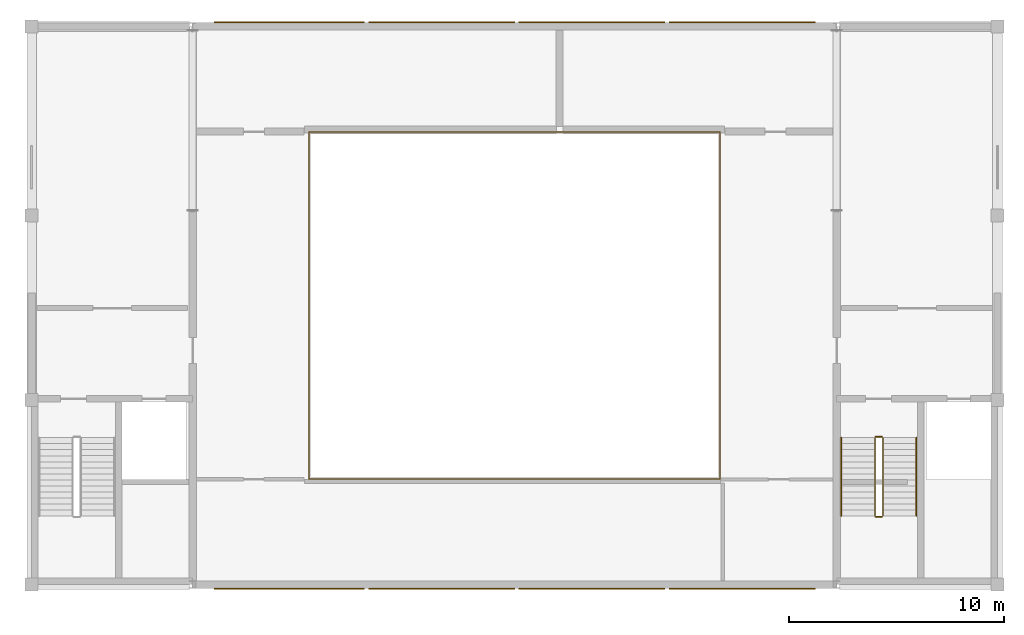
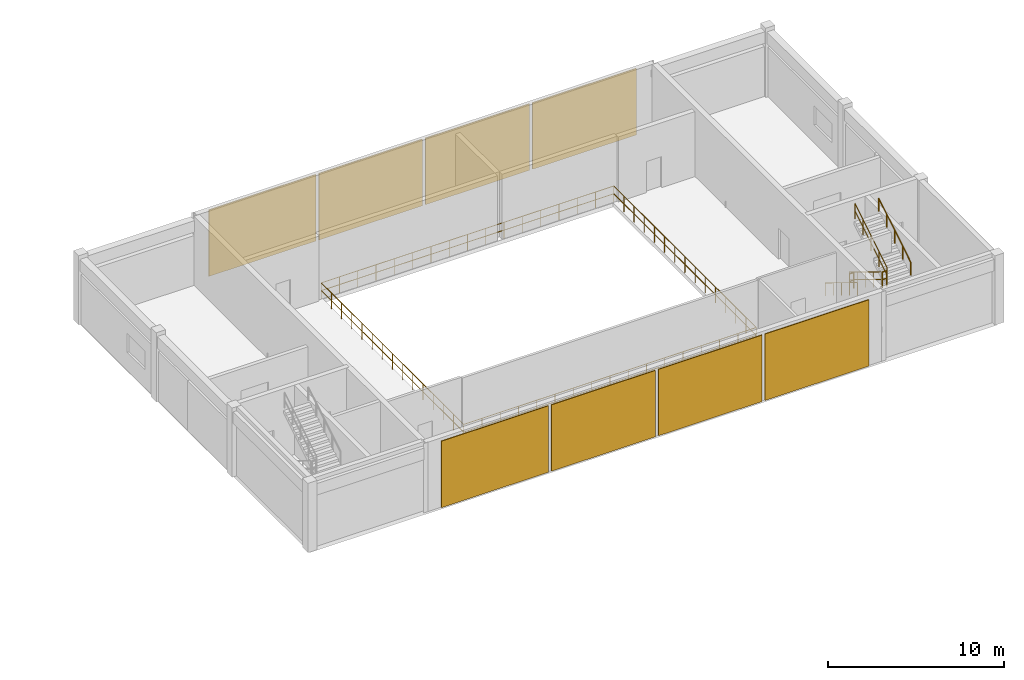
# One storey, part 9 of 9: 10 railings, 8 coverings.
"""IFC4 building model written with IfcOpenShell, lengths in metres."""

from ifc_helpers import new_model, si_unit, direction, frame, origin, origin_2d, place, context, subcontext, project, spatial, rectangle, circle, extrude, material, layer, layer_set, type_object, element, save


model = new_model("IFC4")

# Units and contexts
model_context = context("Model", 3, precision=1e-05, world=origin(), true_north=direction((0.0, 1.0)))
body_context = subcontext(model_context, "Body", "Model", "MODEL_VIEW")
ifc_project = project(units=[si_unit("LENGTHUNIT", "METRE"), si_unit("AREAUNIT", "SQUARE_METRE"), si_unit("VOLUMEUNIT", "CUBIC_METRE"), si_unit("PLANEANGLEUNIT", "RADIAN"), si_unit("MASSUNIT", "GRAM", prefix="KILO")], contexts=[model_context])

# Site, building, storey
site_placement = place(None, origin())
site = spatial("IfcSite", under=ifc_project, at=site_placement, CompositionType="ELEMENT")
building_placement = place(site_placement, origin())
building = spatial("IfcBuilding", under=site, at=building_placement, Name="Muzn Square Opera House", CompositionType="ELEMENT")
storey_placement = place(building_placement, frame((0.0, 0.0, 23.39990234375)))
storey = spatial("IfcBuildingStorey", under=building, at=storey_placement, Name="L05", CompositionType="ELEMENT", Elevation=23.39990234375)

# Railings
ifc_material_1 = material(Name="Architectural bronze mashrabiya", Category="metal")
railing_type_1 = type_object("IfcRailingType", Name="Bronze Protective Balustrade 1120mm", PredefinedType="BALUSTRADE", material=ifc_material_1)
railing_1_placement = place(storey_placement, frame((78.419921875, 77.52001953125, 0.0)))
element("IfcRailing", 1, at=railing_1_placement, inside=storey, type_object=railing_type_1, Name="Void Edge Balustrade L05-0067", PredefinedType="BALUSTRADE", context=body_context, shape_type="SweptSolid", body=[
    extrude(circle(Radius=0.02392578125, at=origin_2d()), frame((0.0, 0.0, 1.09619140625), z_axis=(1.0, 0.0, 0.0), x_axis=(0.0, 1.0, 0.0)), (0.0, 0.0, 1.0), 19.16015625),
    extrude(circle(Radius=0.02392578125, at=origin_2d()), frame((0.0, 0.0, 0.56005859375), z_axis=(1.0, 0.0, 0.0), x_axis=(0.0, 1.0, 0.0)), (0.0, 0.0, 1.0), 19.16015625),
    extrude(circle(Radius=0.02099609375, at=origin_2d()), origin(), (0.0, 0.0, 1.0), 1.072021484375),
    extrude(circle(Radius=0.02099609375, at=origin_2d()), frame((1.197509765625, 0.0, 0.0)), (0.0, 0.0, 1.0), 1.072021484375),
    extrude(circle(Radius=0.02099609375, at=origin_2d()), frame((2.39501953125, 0.0, 0.0)), (0.0, 0.0, 1.0), 1.072021484375),
    extrude(circle(Radius=0.02099609375, at=origin_2d()), frame((3.592529296875, 0.0, 0.0)), (0.0, 0.0, 1.0), 1.072021484375),
    extrude(circle(Radius=0.02099609375, at=origin_2d()), frame((4.7900390625, 0.0, 0.0)), (0.0, 0.0, 1.0), 1.072021484375),
    extrude(circle(Radius=0.02099609375, at=origin_2d()), frame((5.987548828125, 0.0, 0.0)), (0.0, 0.0, 1.0), 1.072021484375),
    extrude(circle(Radius=0.02099609375, at=origin_2d()), frame((7.18505859375, 0.0, 0.0)), (0.0, 0.0, 1.0), 1.072021484375),
    extrude(circle(Radius=0.02099609375, at=origin_2d()), frame((8.382568359375, 0.0, 0.0)), (0.0, 0.0, 1.0), 1.072021484375),
    extrude(circle(Radius=0.02099609375, at=origin_2d()), frame((9.580078125, 0.0, 0.0)), (0.0, 0.0, 1.0), 1.072021484375),
    extrude(circle(Radius=0.02099609375, at=origin_2d()), frame((10.777587890625, 0.0, 0.0)), (0.0, 0.0, 1.0), 1.072021484375),
    extrude(circle(Radius=0.02099609375, at=origin_2d()), frame((11.97509765625, 0.0, 0.0)), (0.0, 0.0, 1.0), 1.072021484375),
    extrude(circle(Radius=0.02099609375, at=origin_2d()), frame((13.172607421875, 0.0, 0.0)), (0.0, 0.0, 1.0), 1.072021484375),
    extrude(circle(Radius=0.02099609375, at=origin_2d()), frame((14.3701171875, 0.0, 0.0)), (0.0, 0.0, 1.0), 1.072021484375),
    extrude(circle(Radius=0.02099609375, at=origin_2d()), frame((15.567626953125, 0.0, 0.0)), (0.0, 0.0, 1.0), 1.072021484375),
    extrude(circle(Radius=0.02099609375, at=origin_2d()), frame((16.76513671875, 0.0, 0.0)), (0.0, 0.0, 1.0), 1.072021484375),
    extrude(circle(Radius=0.02099609375, at=origin_2d()), frame((17.962646484375, 0.0, 0.0)), (0.0, 0.0, 1.0), 1.072021484375),
    extrude(circle(Radius=0.02099609375, at=origin_2d()), frame((19.16015625, 0.0, 0.0)), (0.0, 0.0, 1.0), 1.072021484375),
])
railing_2_placement = place(storey_placement, frame((97.580078125, 77.52001953125, 0.0)))
element("IfcRailing", 2, at=railing_2_placement, inside=storey, type_object=railing_type_1, Name="Void Edge Balustrade L05-0068", PredefinedType="BALUSTRADE", context=body_context, shape_type="SweptSolid", body=[
    extrude(circle(Radius=0.02392578125, at=origin_2d()), frame((0.0, 0.0, 1.09619140625), z_axis=(0.0, 1.0, 0.0), x_axis=(-1.0, 0.0, 0.0)), (0.0, 0.0, 1.0), 16.159912109375),
    extrude(circle(Radius=0.02392578125, at=origin_2d()), frame((0.0, 0.0, 0.56005859375), z_axis=(0.0, 1.0, 0.0), x_axis=(-1.0, 0.0, 0.0)), (0.0, 0.0, 1.0), 16.159912109375),
    extrude(circle(Radius=0.02099609375, at=origin_2d()), origin(), (0.0, 0.0, 1.0), 1.072021484375),
    extrude(circle(Radius=0.02099609375, at=origin_2d()), frame((0.0, 1.154296875, 0.0)), (0.0, 0.0, 1.0), 1.072021484375),
    extrude(circle(Radius=0.02099609375, at=origin_2d()), frame((0.0, 2.30859375, 0.0)), (0.0, 0.0, 1.0), 1.072021484375),
    extrude(circle(Radius=0.02099609375, at=origin_2d()), frame((0.0, 3.462890625, 0.0)), (0.0, 0.0, 1.0), 1.072021484375),
    extrude(circle(Radius=0.02099609375, at=origin_2d()), frame((0.0, 4.6171875, 0.0)), (0.0, 0.0, 1.0), 1.072021484375),
    extrude(circle(Radius=0.02099609375, at=origin_2d()), frame((0.0, 5.771484375, 0.0)), (0.0, 0.0, 1.0), 1.072021484375),
    extrude(circle(Radius=0.02099609375, at=origin_2d()), frame((0.0, 6.92578125, 0.0)), (0.0, 0.0, 1.0), 1.072021484375),
    extrude(circle(Radius=0.02099609375, at=origin_2d()), frame((0.0, 8.080078125, 0.0)), (0.0, 0.0, 1.0), 1.072021484375),
    extrude(circle(Radius=0.02099609375, at=origin_2d()), frame((0.0, 9.234130859375, 0.0)), (0.0, 0.0, 1.0), 1.072021484375),
    extrude(circle(Radius=0.02099609375, at=origin_2d()), frame((0.0, 10.388427734375, 0.0)), (0.0, 0.0, 1.0), 1.072021484375),
    extrude(circle(Radius=0.02099609375, at=origin_2d()), frame((0.0, 11.542724609375, 0.0)), (0.0, 0.0, 1.0), 1.072021484375),
    extrude(circle(Radius=0.02099609375, at=origin_2d()), frame((0.0, 12.697021484375, 0.0)), (0.0, 0.0, 1.0), 1.072021484375),
    extrude(circle(Radius=0.02099609375, at=origin_2d()), frame((0.0, 13.851318359375, 0.0)), (0.0, 0.0, 1.0), 1.072021484375),
    extrude(circle(Radius=0.02099609375, at=origin_2d()), frame((0.0, 15.005615234375, 0.0)), (0.0, 0.0, 1.0), 1.072021484375),
    extrude(circle(Radius=0.02099609375, at=origin_2d()), frame((0.0, 16.159912109375, 0.0)), (0.0, 0.0, 1.0), 1.072021484375),
])
railing_3_placement = place(storey_placement, frame((97.580078125, 93.679931640625, 0.0)))
element("IfcRailing", 3, at=railing_3_placement, inside=storey, type_object=railing_type_1, Name="Void Edge Balustrade L05-0069", PredefinedType="BALUSTRADE", context=body_context, shape_type="SweptSolid", body=[
    extrude(circle(Radius=0.02392578125, at=origin_2d()), frame((0.0, 0.0, 1.09619140625), z_axis=(-1.0, 0.0, 0.0), x_axis=(0.0, -1.0, 0.0)), (0.0, 0.0, 1.0), 19.16015625),
    extrude(circle(Radius=0.02392578125, at=origin_2d()), frame((0.0, 0.0, 0.56005859375), z_axis=(-1.0, 0.0, 0.0), x_axis=(0.0, -1.0, 0.0)), (0.0, 0.0, 1.0), 19.16015625),
    extrude(circle(Radius=0.02099609375, at=origin_2d()), origin(), (0.0, 0.0, 1.0), 1.072021484375),
    extrude(circle(Radius=0.02099609375, at=origin_2d()), frame((-1.197509765625, 0.0, 0.0)), (0.0, 0.0, 1.0), 1.072021484375),
    extrude(circle(Radius=0.02099609375, at=origin_2d()), frame((-2.39501953125, 0.0, 0.0)), (0.0, 0.0, 1.0), 1.072021484375),
    extrude(circle(Radius=0.02099609375, at=origin_2d()), frame((-3.592529296875, 0.0, 0.0)), (0.0, 0.0, 1.0), 1.072021484375),
    extrude(circle(Radius=0.02099609375, at=origin_2d()), frame((-4.7900390625, 0.0, 0.0)), (0.0, 0.0, 1.0), 1.072021484375),
    extrude(circle(Radius=0.02099609375, at=origin_2d()), frame((-5.987548828125, 0.0, 0.0)), (0.0, 0.0, 1.0), 1.072021484375),
    extrude(circle(Radius=0.02099609375, at=origin_2d()), frame((-7.18505859375, 0.0, 0.0)), (0.0, 0.0, 1.0), 1.072021484375),
    extrude(circle(Radius=0.02099609375, at=origin_2d()), frame((-8.382568359375, 0.0, 0.0)), (0.0, 0.0, 1.0), 1.072021484375),
    extrude(circle(Radius=0.02099609375, at=origin_2d()), frame((-9.580078125, 0.0, 0.0)), (0.0, 0.0, 1.0), 1.072021484375),
    extrude(circle(Radius=0.02099609375, at=origin_2d()), frame((-10.777587890625, 0.0, 0.0)), (0.0, 0.0, 1.0), 1.072021484375),
    extrude(circle(Radius=0.02099609375, at=origin_2d()), frame((-11.97509765625, 0.0, 0.0)), (0.0, 0.0, 1.0), 1.072021484375),
    extrude(circle(Radius=0.02099609375, at=origin_2d()), frame((-13.172607421875, 0.0, 0.0)), (0.0, 0.0, 1.0), 1.072021484375),
    extrude(circle(Radius=0.02099609375, at=origin_2d()), frame((-14.3701171875, 0.0, 0.0)), (0.0, 0.0, 1.0), 1.072021484375),
    extrude(circle(Radius=0.02099609375, at=origin_2d()), frame((-15.567626953125, 0.0, 0.0)), (0.0, 0.0, 1.0), 1.072021484375),
    extrude(circle(Radius=0.02099609375, at=origin_2d()), frame((-16.76513671875, 0.0, 0.0)), (0.0, 0.0, 1.0), 1.072021484375),
    extrude(circle(Radius=0.02099609375, at=origin_2d()), frame((-17.962646484375, 0.0, 0.0)), (0.0, 0.0, 1.0), 1.072021484375),
    extrude(circle(Radius=0.02099609375, at=origin_2d()), frame((-19.16015625, 0.0, 0.0)), (0.0, 0.0, 1.0), 1.072021484375),
])
railing_4_placement = place(storey_placement, frame((78.419921875, 93.679931640625, 0.0)))
element("IfcRailing", 4, at=railing_4_placement, inside=storey, type_object=railing_type_1, Name="Void Edge Balustrade L05-0070", PredefinedType="BALUSTRADE", context=body_context, shape_type="SweptSolid", body=[
    extrude(circle(Radius=0.02392578125, at=origin_2d()), frame((0.0, 0.0, 1.09619140625), z_axis=(0.0, -1.0, 0.0), x_axis=(1.0, 0.0, 0.0)), (0.0, 0.0, 1.0), 16.159912109375),
    extrude(circle(Radius=0.02392578125, at=origin_2d()), frame((0.0, 0.0, 0.56005859375), z_axis=(0.0, -1.0, 0.0), x_axis=(1.0, 0.0, 0.0)), (0.0, 0.0, 1.0), 16.159912109375),
    extrude(circle(Radius=0.02099609375, at=origin_2d()), origin(), (0.0, 0.0, 1.0), 1.072021484375),
    extrude(circle(Radius=0.02099609375, at=origin_2d()), frame((0.0, -1.154296875, 0.0)), (0.0, 0.0, 1.0), 1.072021484375),
    extrude(circle(Radius=0.02099609375, at=origin_2d()), frame((0.0, -2.30859375, 0.0)), (0.0, 0.0, 1.0), 1.072021484375),
    extrude(circle(Radius=0.02099609375, at=origin_2d()), frame((0.0, -3.462890625, 0.0)), (0.0, 0.0, 1.0), 1.072021484375),
    extrude(circle(Radius=0.02099609375, at=origin_2d()), frame((0.0, -4.6171875, 0.0)), (0.0, 0.0, 1.0), 1.072021484375),
    extrude(circle(Radius=0.02099609375, at=origin_2d()), frame((0.0, -5.771484375, 0.0)), (0.0, 0.0, 1.0), 1.072021484375),
    extrude(circle(Radius=0.02099609375, at=origin_2d()), frame((0.0, -6.92578125, 0.0)), (0.0, 0.0, 1.0), 1.072021484375),
    extrude(circle(Radius=0.02099609375, at=origin_2d()), frame((0.0, -8.080078125, 0.0)), (0.0, 0.0, 1.0), 1.072021484375),
    extrude(circle(Radius=0.02099609375, at=origin_2d()), frame((0.0, -9.234130859375, 0.0)), (0.0, 0.0, 1.0), 1.072021484375),
    extrude(circle(Radius=0.02099609375, at=origin_2d()), frame((0.0, -10.388427734375, 0.0)), (0.0, 0.0, 1.0), 1.072021484375),
    extrude(circle(Radius=0.02099609375, at=origin_2d()), frame((0.0, -11.542724609375, 0.0)), (0.0, 0.0, 1.0), 1.072021484375),
    extrude(circle(Radius=0.02099609375, at=origin_2d()), frame((0.0, -12.697021484375, 0.0)), (0.0, 0.0, 1.0), 1.072021484375),
    extrude(circle(Radius=0.02099609375, at=origin_2d()), frame((0.0, -13.851318359375, 0.0)), (0.0, 0.0, 1.0), 1.072021484375),
    extrude(circle(Radius=0.02099609375, at=origin_2d()), frame((0.0, -15.005615234375, 0.0)), (0.0, 0.0, 1.0), 1.072021484375),
    extrude(circle(Radius=0.02099609375, at=origin_2d()), frame((0.0, -16.159912109375, 0.0)), (0.0, 0.0, 1.0), 1.072021484375),
])

# Coverings
ifc_material_2 = material(Name="Honed Riyadh limestone", Category="stone")
ifc_layer = layer(ifc_material_2, 0.06005859375, Name="Honed Riyadh limestone", Category="stone")
ifc_layer_set = layer_set([ifc_layer], Name="Honed Riyadh limestone")
covering_type = type_object("IfcCoveringType", Name="Honed Riyadh Limestone Facade Cladding", PredefinedType="CLADDING", material=ifc_layer_set)
covering_1_placement = place(storey_placement, frame((77.5, 72.39990234375, 0.0), z_axis=(0.0, 0.0, 1.0), x_axis=(1.0, 0.0, 0.0)))
element("IfcCovering", 5, at=covering_1_placement, inside=storey, type_object=covering_type, Name="Honed Riyadh Limestone Cladding Panel CLD-FT-L05-09", PredefinedType="CLADDING", context=body_context, shape_type="SweptSolid", body=[
    extrude(rectangle(XDim=7.0, YDim=0.06005859375, at=origin_2d()), origin(), (0.0, 0.0, 1.0), 4.60009765625),
])
for number, where, z_axis, x_axis, name in (
    (6, (84.60009765625, 72.39990234375, 0.0), (0.0, 0.0, 1.0), (1.0, 0.0, 0.0), "Honed Riyadh Limestone Cladding Panel CLD-FT-L05-10"),
    (7, (91.60009765625, 72.39990234375, 0.0), (0.0, 0.0, 1.0), (1.0, 0.0, 0.0), "Honed Riyadh Limestone Cladding Panel CLD-FT-L05-11"),
    (8, (98.60009765625, 72.39990234375, 0.0), (0.0, 0.0, 1.0), (1.0, 0.0, 0.0), "Honed Riyadh Limestone Cladding Panel CLD-FT-L05-12"),
):
    element("IfcCovering", number, at=place(storey_placement, frame(where, z_axis=z_axis, x_axis=x_axis)), inside=storey, type_object=covering_type, Name=name, PredefinedType="CLADDING", context=body_context, shape_type="SweptSolid", body=[
        extrude(rectangle(XDim=6.800048828125, YDim=0.06005859375, at=origin_2d()), origin(), (0.0, 0.0, 1.0), 4.60009765625),
    ])
covering_2_placement = place(storey_placement, frame((77.5, 98.800048828125, 0.0), z_axis=(0.0, 0.0, 1.0), x_axis=(1.0, 0.0, 0.0)))
element("IfcCovering", 9, at=covering_2_placement, inside=storey, type_object=covering_type, Name="Honed Riyadh Limestone Cladding Panel CLD-FT-L05-13", PredefinedType="CLADDING", context=body_context, shape_type="SweptSolid", body=[
    extrude(rectangle(XDim=7.0, YDim=0.06005859375, at=origin_2d()), origin(), (0.0, 0.0, 1.0), 4.60009765625),
])
for number, where, z_axis, x_axis, name in (
    (10, (84.60009765625, 98.800048828125, 0.0), (0.0, 0.0, 1.0), (1.0, 0.0, 0.0), "Honed Riyadh Limestone Cladding Panel CLD-FT-L05-14"),
    (11, (91.60009765625, 98.800048828125, 0.0), (0.0, 0.0, 1.0), (1.0, 0.0, 0.0), "Honed Riyadh Limestone Cladding Panel CLD-FT-L05-15"),
    (12, (98.60009765625, 98.800048828125, 0.0), (0.0, 0.0, 1.0), (1.0, 0.0, 0.0), "Honed Riyadh Limestone Cladding Panel CLD-FT-L05-16"),
):
    element("IfcCovering", number, at=place(storey_placement, frame(where, z_axis=z_axis, x_axis=x_axis)), inside=storey, type_object=covering_type, Name=name, PredefinedType="CLADDING", context=body_context, shape_type="SweptSolid", body=[
        extrude(rectangle(XDim=6.800048828125, YDim=0.06005859375, at=origin_2d()), origin(), (0.0, 0.0, 1.0), 4.60009765625),
    ])

# Railings
ifc_material_3 = material(Name="Brushed stainless steel", Category="metal")
railing_type_2 = type_object("IfcRailingType", Name="Stair Guard Railing 1120mm", PredefinedType="GUARDRAIL", material=ifc_material_3)
railing_5_placement = place(storey_placement, frame((104.780029296875, 79.43994140625, 0.171630859375)))
element("IfcRailing", 13, at=railing_5_placement, inside=storey, type_object=railing_type_2, Name="L05 ST-2 stair guard 1", PredefinedType="GUARDRAIL", context=body_context, shape_type="SweptSolid", body=[
    extrude(circle(Radius=0.02392578125, at=origin_2d()), frame((0.0, 0.0, 1.076171875), z_axis=(0.0, -0.852850264322, 0.5221555579), x_axis=(1.0, 0.0, 0.0)), (0.0, 0.0, 1.0), 4.267822265625),
    extrude(circle(Radius=0.02392578125, at=origin_2d()), frame((0.0, 0.0, 0.550048828125), z_axis=(0.0, -0.852850264322, 0.5221555579), x_axis=(1.0, 0.0, 0.0)), (0.0, 0.0, 1.0), 4.267822265625),
    extrude(circle(Radius=0.02099609375, at=origin_2d()), origin(), (0.0, 0.0, 1.0), 1.052001953125),
    extrude(circle(Radius=0.02099609375, at=origin_2d()), frame((0.0, -0.909912109375, 0.55712890625)), (0.0, 0.0, 1.0), 1.052001953125),
    extrude(circle(Radius=0.02099609375, at=origin_2d()), frame((0.0, -1.81982421875, 1.1142578125)), (0.0, 0.0, 1.0), 1.052001953125),
    extrude(circle(Radius=0.02099609375, at=origin_2d()), frame((0.0, -2.72998046875, 1.67138671875)), (0.0, 0.0, 1.0), 1.052001953125),
    extrude(circle(Radius=0.02099609375, at=origin_2d()), frame((0.0, -3.639892578125, 2.228515625)), (0.0, 0.0, 1.0), 1.052001953125),
])
railing_6_placement = place(storey_placement, frame((104.830078125, 75.75, 2.400146484375)))
element("IfcRailing", 14, at=railing_6_placement, inside=storey, type_object=railing_type_2, Name="L05 ST-2 stair guard 2", PredefinedType="GUARDRAIL", context=body_context, shape_type="SweptSolid", body=[
    extrude(circle(Radius=0.02392578125, at=origin_2d()), frame((0.0, 0.0, 1.076171875), z_axis=(1.0, 0.0, 0.0), x_axis=(0.0, 1.0, 0.0)), (0.0, 0.0, 1.0), 0.280029296875),
    extrude(circle(Radius=0.02392578125, at=origin_2d()), frame((0.0, 0.0, 0.550048828125), z_axis=(1.0, 0.0, 0.0), x_axis=(0.0, 1.0, 0.0)), (0.0, 0.0, 1.0), 0.280029296875),
    extrude(circle(Radius=0.02099609375, at=origin_2d()), origin(), (0.0, 0.0, 1.0), 1.052001953125),
    extrude(circle(Radius=0.02099609375, at=origin_2d()), frame((0.280029296875, 0.0, 0.0)), (0.0, 0.0, 1.0), 1.052001953125),
])
railing_7_placement = place(storey_placement, frame((105.159912109375, 75.800048828125, 2.571533203125)))
element("IfcRailing", 15, at=railing_7_placement, inside=storey, type_object=railing_type_2, Name="L05 ST-2 stair guard 3", PredefinedType="GUARDRAIL", context=body_context, shape_type="SweptSolid", body=[
    extrude(circle(Radius=0.02392578125, at=origin_2d()), frame((0.0, 0.0, 1.076171875), z_axis=(0.0, 0.852850264322, 0.5221555579), x_axis=(-1.0, 0.0, 0.0)), (0.0, 0.0, 1.0), 4.267822265625),
    extrude(circle(Radius=0.02392578125, at=origin_2d()), frame((0.0, 0.0, 0.550048828125), z_axis=(0.0, 0.852850264322, 0.5221555579), x_axis=(-1.0, 0.0, 0.0)), (0.0, 0.0, 1.0), 4.267822265625),
    extrude(circle(Radius=0.02099609375, at=origin_2d()), origin(), (0.0, 0.0, 1.0), 1.052001953125),
    extrude(circle(Radius=0.02099609375, at=origin_2d()), frame((0.0, 0.909912109375, 0.55712890625)), (0.0, 0.0, 1.0), 1.052001953125),
    extrude(circle(Radius=0.02099609375, at=origin_2d()), frame((0.0, 1.81982421875, 1.1142578125)), (0.0, 0.0, 1.0), 1.052001953125),
    extrude(circle(Radius=0.02099609375, at=origin_2d()), frame((0.0, 2.72998046875, 1.67138671875)), (0.0, 0.0, 1.0), 1.052001953125),
    extrude(circle(Radius=0.02099609375, at=origin_2d()), frame((0.0, 3.639892578125, 2.228515625)), (0.0, 0.0, 1.0), 1.052001953125),
])
railing_8_placement = place(storey_placement, frame((104.830078125, 79.489990234375, 0.0)))
element("IfcRailing", 16, at=railing_8_placement, inside=storey, type_object=railing_type_2, Name="L05 ST-2 stair guard 4", PredefinedType="GUARDRAIL", context=body_context, shape_type="SweptSolid", body=[
    extrude(circle(Radius=0.02392578125, at=origin_2d()), frame((0.0, 0.0, 1.076171875), z_axis=(1.0, 0.0, 0.0), x_axis=(0.0, 1.0, 0.0)), (0.0, 0.0, 1.0), 0.280029296875),
    extrude(circle(Radius=0.02392578125, at=origin_2d()), frame((0.0, 0.0, 0.550048828125), z_axis=(1.0, 0.0, 0.0), x_axis=(0.0, 1.0, 0.0)), (0.0, 0.0, 1.0), 0.280029296875),
    extrude(circle(Radius=0.02099609375, at=origin_2d()), origin(), (0.0, 0.0, 1.0), 1.052001953125),
    extrude(circle(Radius=0.02099609375, at=origin_2d()), frame((0.280029296875, 0.0, 0.0)), (0.0, 0.0, 1.0), 1.052001953125),
])
railing_type_3 = type_object("IfcRailingType", Name="Stair Pitch Handrail 900mm", PredefinedType="HANDRAIL", material=ifc_material_3)
railing_9_placement = place(storey_placement, frame((103.219970703125, 79.43994140625, 0.171630859375)))
element("IfcRailing", 17, at=railing_9_placement, inside=storey, type_object=railing_type_3, Name="L05 ST-2 stair handrail 1", PredefinedType="HANDRAIL", context=body_context, shape_type="SweptSolid", body=[
    extrude(circle(Radius=0.02392578125, at=origin_2d()), frame((0.0, 0.0, 0.8759765625), z_axis=(0.0, -0.852850264322, 0.5221555579), x_axis=(1.0, 0.0, 0.0)), (0.0, 0.0, 1.0), 4.267822265625),
    extrude(circle(Radius=0.02099609375, at=origin_2d()), origin(), (0.0, 0.0, 1.0), 0.851806640625),
    extrude(circle(Radius=0.02099609375, at=origin_2d()), frame((0.0, -0.909912109375, 0.55712890625)), (0.0, 0.0, 1.0), 0.851806640625),
    extrude(circle(Radius=0.02099609375, at=origin_2d()), frame((0.0, -1.81982421875, 1.1142578125)), (0.0, 0.0, 1.0), 0.851806640625),
    extrude(circle(Radius=0.02099609375, at=origin_2d()), frame((0.0, -2.72998046875, 1.67138671875)), (0.0, 0.0, 1.0), 0.851806640625),
    extrude(circle(Radius=0.02099609375, at=origin_2d()), frame((0.0, -3.639892578125, 2.228515625)), (0.0, 0.0, 1.0), 0.851806640625),
])
railing_10_placement = place(storey_placement, frame((106.719970703125, 75.800048828125, 2.571533203125)))
element("IfcRailing", 18, at=railing_10_placement, inside=storey, type_object=railing_type_3, Name="L05 ST-2 stair handrail 2", PredefinedType="HANDRAIL", context=body_context, shape_type="SweptSolid", body=[
    extrude(circle(Radius=0.02392578125, at=origin_2d()), frame((0.0, 0.0, 0.8759765625), z_axis=(0.0, 0.852850264322, 0.5221555579), x_axis=(-1.0, 0.0, 0.0)), (0.0, 0.0, 1.0), 4.267822265625),
    extrude(circle(Radius=0.02099609375, at=origin_2d()), origin(), (0.0, 0.0, 1.0), 0.851806640625),
    extrude(circle(Radius=0.02099609375, at=origin_2d()), frame((0.0, 0.909912109375, 0.55712890625)), (0.0, 0.0, 1.0), 0.851806640625),
    extrude(circle(Radius=0.02099609375, at=origin_2d()), frame((0.0, 1.81982421875, 1.1142578125)), (0.0, 0.0, 1.0), 0.851806640625),
    extrude(circle(Radius=0.02099609375, at=origin_2d()), frame((0.0, 2.72998046875, 1.67138671875)), (0.0, 0.0, 1.0), 0.851806640625),
    extrude(circle(Radius=0.02099609375, at=origin_2d()), frame((0.0, 3.639892578125, 2.228515625)), (0.0, 0.0, 1.0), 0.851806640625),
])

save(model, "model.ifc")
